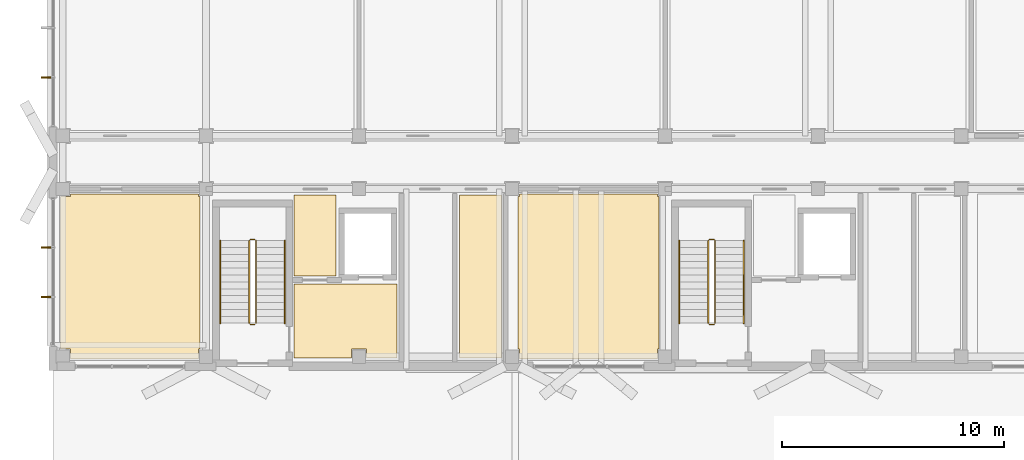
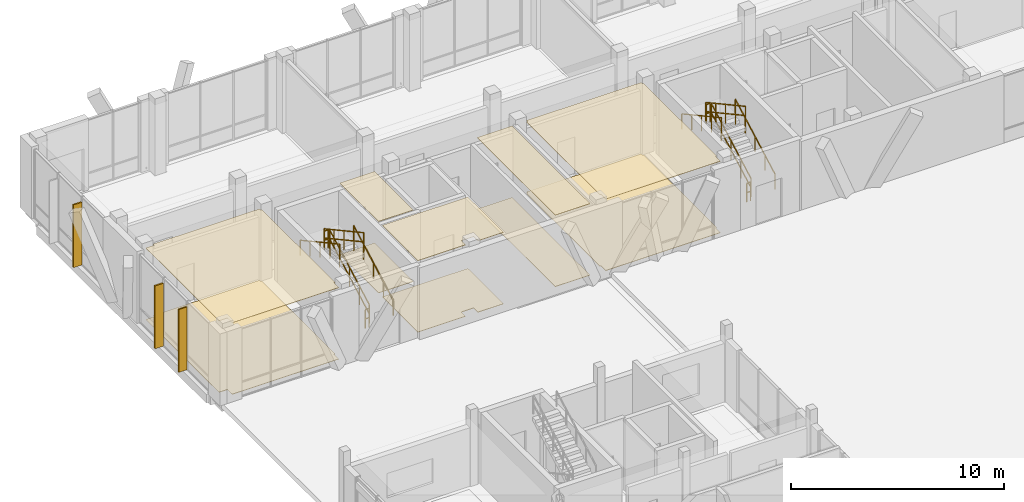
# One storey, part 220 of 233: 12 railings, 10 coverings, 3 shading devices.
"""IFC4 building model written with IfcOpenShell, lengths in metres."""

import ifcopenshell
import ifcopenshell.guid

model = None  # the IFC model being written
_history = None  # IfcOwnerHistory: only IFC2X3 demands one
_inside = {}  # id of a spatial element -> (the spatial element, [elements in it])
_under = {}  # id of a project, library or spatial element -> (it, [spatial elements below it])
_declared = {}  # id of a project -> (the project, [libraries it declares])
_typed = {}  # id of a type object -> (the type object, [elements of that type])
_made_of = {}  # id of a material, layer set ... -> (it, [elements and type objects made of it])


def new_model(schema):
    """Start an empty IFC model of exactly this schema.

    Asked for "IFC4X3", IfcOpenShell would pick the latest addendum, in which some entities
    have other attributes; the version numbers below select the first issue.
    IFC2X3 requires an IfcOwnerHistory on every rooted entity: one is made here for all.
    """
    global model, _history
    if schema == "IFC4X3":
        model = ifcopenshell.file(schema_version=(4, 3, 0, 0))
    else:
        model = ifcopenshell.file(schema=schema)
    _inside.clear()
    _under.clear()
    _declared.clear()
    _typed.clear()
    _made_of.clear()
    _history = None
    if model.schema == "IFC2X3":
        org = make("IfcOrganization", Name="unknown")
        user = make(
            "IfcPersonAndOrganization",
            ThePerson=make("IfcPerson", FamilyName="unknown"),
            TheOrganization=org,
        )
        app = make(
            "IfcApplication",
            ApplicationDeveloper=org,
            Version="unknown",
            ApplicationFullName="unknown",
            ApplicationIdentifier="unknown",
        )
        _history = make(
            "IfcOwnerHistory",
            OwningUser=user,
            OwningApplication=app,
            ChangeAction="ADDED",
            CreationDate=0,
        )
    return model


def make(cls, **values):
    """One entity of the class cls with the attributes given. An attribute that is None is left unset."""
    return model.create_entity(
        cls, **{name: value for name, value in values.items() if value is not None}
    )


def rooted(cls, **values):
    """An entity with a GlobalId (a new one), such as an element, a storey or a relation."""
    return make(cls, GlobalId=ifcopenshell.guid.new(), OwnerHistory=_history, **values)


def si_unit(unit_type, name, prefix=None):
    """IfcSIUnit, for example si_unit("LENGTHUNIT", "METRE", prefix="MILLI")."""
    return make("IfcSIUnit", UnitType=unit_type, Prefix=prefix, Name=name)


def assignment(units):
    """IfcUnitAssignment: the units of a project."""
    return None if units is None else make("IfcUnitAssignment", Units=units)


def point(xyz):
    """IfcCartesianPoint."""
    return None if xyz is None else make("IfcCartesianPoint", Coordinates=xyz)


def direction(xyz):
    """IfcDirection."""
    return None if xyz is None else make("IfcDirection", DirectionRatios=xyz)


def frame(location, z_axis=None, x_axis=None):
    """IfcAxis2Placement3D, a coordinate frame: its origin and axes. An axis left out is left unset."""
    return make(
        "IfcAxis2Placement3D",
        Location=point(location),
        Axis=direction(z_axis),
        RefDirection=direction(x_axis),
    )


def frame_2d(location, x_axis=None):
    """IfcAxis2Placement2D, a coordinate frame in the plane: its origin and x axis."""
    return make(
        "IfcAxis2Placement2D", Location=point(location), RefDirection=direction(x_axis)
    )


def origin():
    """The frame at (0, 0, 0) with its axes left unset."""
    return frame((0.0, 0.0, 0.0))


def origin_2d():
    """The frame at (0, 0) in the plane with its x axis left unset."""
    return frame_2d((0.0, 0.0))


def place(relative_to, where):
    """IfcLocalPlacement: puts the frame where relative to a parent placement (None: the world)."""
    return make(
        "IfcLocalPlacement", PlacementRelTo=relative_to, RelativePlacement=where
    )


def context(
    kind, dimensions, precision=None, world=None, true_north=None, identifier=None
):
    """IfcGeometricRepresentationContext, for example the 3D "Model" context."""
    return make(
        "IfcGeometricRepresentationContext",
        ContextIdentifier=identifier,
        ContextType=kind,
        CoordinateSpaceDimension=dimensions,
        Precision=precision,
        WorldCoordinateSystem=world,
        TrueNorth=true_north,
    )


def subcontext(parent, identifier, kind, view, scale=None):
    """IfcGeometricRepresentationSubContext, for example "Body" below "Model"."""
    return make(
        "IfcGeometricRepresentationSubContext",
        ContextIdentifier=identifier,
        ContextType=kind,
        ParentContext=parent,
        TargetScale=scale,
        TargetView=view,
    )


def project(units=None, contexts=None):
    """IfcProject with its units and contexts."""
    return rooted(
        "IfcProject",
        Name="project",
        RepresentationContexts=contexts,
        UnitsInContext=assignment(units),
    )


def spatial(cls, under=None, at=None, **own):
    """A site, building, storey or space (cls), placed at a placement, below another one or the project."""
    s = rooted(cls, ObjectPlacement=at, **own)
    if under is not None:
        _under.setdefault(under.id(), (under, []))[1].append(s)
    return s


def polyline(points):
    """IfcPolyline through the points."""
    return make("IfcPolyline", Points=[point(p) for p in points])


def profile(cls, at=None, kind="AREA", **sizes):
    """A parametric profile (cls). Its sizes go by their IFC names, for example OverallWidth=200.0."""
    return make(cls, ProfileType=kind, Position=at, **sizes)


def rectangle(**sizes):
    """IfcRectangleProfileDef."""
    return profile("IfcRectangleProfileDef", **sizes)


def outline(outer, holes=None, kind="AREA"):
    """IfcArbitraryClosedProfileDef: a profile drawn as a closed curve; with holes, ...WithVoids."""
    if holes is None:
        return make("IfcArbitraryClosedProfileDef", ProfileType=kind, OuterCurve=outer)
    return make(
        "IfcArbitraryProfileDefWithVoids",
        ProfileType=kind,
        OuterCurve=outer,
        InnerCurves=holes,
    )


def extrude(swept, where, along, depth):
    """IfcExtrudedAreaSolid: the profile swept, set in the frame where, extruded along a direction by depth."""
    return make(
        "IfcExtrudedAreaSolid",
        SweptArea=swept,
        Position=where,
        ExtrudedDirection=direction(along),
        Depth=depth,
    )


def shape(context_of_items, identifier, shape_type, items):
    """IfcShapeRepresentation: the items that make up one representation, for example the "Body"."""
    return make(
        "IfcShapeRepresentation",
        ContextOfItems=context_of_items,
        RepresentationIdentifier=identifier,
        RepresentationType=shape_type,
        Items=items,
    )


def material(Name=None, Category=None):
    """IfcMaterial."""
    return make("IfcMaterial", Name=Name, Category=Category)


def layer(
    of_material, thickness, ventilated=None, Name=None, Category=None, Priority=None
):
    """IfcMaterialLayer: one layer of a wall or slab, of a material (None: an air gap)."""
    return make(
        "IfcMaterialLayer",
        Material=of_material,
        LayerThickness=thickness,
        IsVentilated=ventilated,
        Name=Name,
        Category=Category,
        Priority=Priority,
    )


def layer_set(layers, Name=None):
    """IfcMaterialLayerSet."""
    return make("IfcMaterialLayerSet", MaterialLayers=layers, LayerSetName=Name)


def made_of(thing, what):
    """Note that an element or type object is made of a material, layer set ...; save() writes the relation."""
    if what is not None:
        _made_of.setdefault(what.id(), (what, []))[1].append(thing)
    return thing


def type_object(cls, material=None, **own):
    """A type object (cls), such as IfcWallType, which elements share."""
    return made_of(rooted(cls, **own), material)


def element(
    cls,
    number,
    at=None,
    inside=None,
    cuts=None,
    type_object=None,
    material=None,
    context=None,
    identifier="Body",
    shape_type=None,
    held_by="IfcProductDefinitionShape",
    body=None,
    shapes=None,
    **own,
):
    """One element of the class cls, such as IfcWall. Its Tag is "e" and its number.

    at: its placement. inside: the storey or other place that contains it. cuts: it is an
    opening in that element (IfcRelVoidsElement). A single representation is given by context,
    identifier, shape_type and body (its items); several are given by shapes. held_by: the class
    of the entity that holds the representations. save() writes the other relations.
    """
    e = rooted(cls, Tag="e%d" % number, ObjectPlacement=at, **own)
    if body is not None:
        shapes = [shape(context, identifier, shape_type, body)]
    if shapes is not None:
        e.Representation = make(held_by, Representations=shapes)
    if inside is not None:
        _inside.setdefault(inside.id(), (inside, []))[1].append(e)
    if cuts is not None:
        rooted(
            "IfcRelVoidsElement", RelatingBuildingElement=cuts, RelatedOpeningElement=e
        )
    if type_object is not None:
        _typed.setdefault(type_object.id(), (type_object, []))[1].append(e)
    return made_of(e, material)


def aggregate(whole, parts):
    """IfcRelAggregates: a whole, such as a stair, and the parts it consists of."""
    return rooted("IfcRelAggregates", RelatingObject=whole, RelatedObjects=parts)


def save(model, path):
    """Write the relations noted so far, then the file.

    IfcRelAggregates (storeys below a building ...), IfcRelContainedInSpatialStructure (elements
    in a storey), IfcRelDefinesByType, IfcRelAssociatesMaterial and IfcRelDeclares: one each for
    every whole, place, type object, material and project.
    """
    for whole, parts in _under.values():
        aggregate(whole, parts)
    for where, things in _inside.values():
        rooted(
            "IfcRelContainedInSpatialStructure",
            RelatedElements=things,
            RelatingStructure=where,
        )
    for kind, things in _typed.values():
        rooted("IfcRelDefinesByType", RelatedObjects=things, RelatingType=kind)
    for what, things in _made_of.values():
        rooted("IfcRelAssociatesMaterial", RelatedObjects=things, RelatingMaterial=what)
    for by, libraries in _declared.values():
        rooted("IfcRelDeclares", RelatingContext=by, RelatedDefinitions=libraries)
    model.write(path)


model = new_model("IFC4")

# Units and contexts
model_context = context("Model", 3, precision=1e-05, world=origin(), true_north=direction((0.0, 1.0)))
body_context = subcontext(model_context, "Body", "Model", "MODEL_VIEW")
ifc_project = project(units=[si_unit("LENGTHUNIT", "METRE"), si_unit("AREAUNIT", "SQUARE_METRE"), si_unit("VOLUMEUNIT", "CUBIC_METRE"), si_unit("PLANEANGLEUNIT", "RADIAN"), si_unit("MASSUNIT", "GRAM", prefix="KILO")], contexts=[model_context])

# Site, building, storey
site_placement = place(None, origin())
site = spatial("IfcSite", under=ifc_project, at=site_placement, CompositionType="ELEMENT")
building_placement = place(site_placement, origin())
building = spatial("IfcBuilding", under=site, at=building_placement, Name="Zavelmont Quarter", CompositionType="ELEMENT")
storey_placement = place(building_placement, origin())
storey = spatial("IfcBuildingStorey", under=building, at=storey_placement, Name="L00", CompositionType="ELEMENT", Elevation=0.0)

# Coverings
ifc_material_1 = material(Name="Perforated acoustic gypsum board")
ifc_layer_1 = layer(ifc_material_1, 0.02490234375)
ifc_layer_set_1 = layer_set([ifc_layer_1], Name="Perforated acoustic gypsum board")
covering_type_1 = type_object("IfcCoveringType", Name="CV-CL01", PredefinedType="CEILING", material=ifc_layer_set_1)
covering_1_placement = place(storey_placement, frame((0.0, 0.0, 4.094970703125)))
element("IfcCovering", 1, at=covering_1_placement, inside=storey, type_object=covering_type_1, Name="L00 Firefighting Lobby acoustic ceiling", PredefinedType="CEILING", context=body_context, shape_type="SweptSolid", body=[
    extrude(outline(polyline([(10.8798828125, 101.320068359375), (15.52001953125, 101.320068359375), (15.52001953125, 97.97998046875), (14.139892578125, 97.97998046875), (14.139892578125, 98.3798828125), (13.4599609375, 98.3798828125), (13.4599609375, 97.97998046875), (10.8798828125, 97.97998046875), (10.8798828125, 101.320068359375)])), origin(), (0.0, 0.0, 1.0), 0.025146484375),
])
covering_2_placement = place(storey_placement, frame((0.0, 0.0, 4.094970703125)))
element("IfcCovering", 2, at=covering_2_placement, inside=storey, type_object=covering_type_1, Name="L00 Lobby Vestibule acoustic ceiling", PredefinedType="CEILING", context=body_context, shape_type="SweptSolid", body=[
    extrude(outline(polyline([(10.8798828125, 105.320068359375), (12.77001953125, 105.320068359375), (12.77001953125, 101.679931640625), (10.8798828125, 101.679931640625), (10.8798828125, 105.320068359375)])), origin(), (0.0, 0.0, 1.0), 0.025146484375),
])
covering_3_placement = place(storey_placement, frame((0.0, 0.0, 4.094970703125)))
element("IfcCovering", 3, at=covering_3_placement, inside=storey, type_object=covering_type_1, Name="L00 Refuse Chute Room acoustic ceiling", PredefinedType="CEILING", context=body_context, shape_type="SweptSolid", body=[
    extrude(outline(polyline([(18.330078125, 105.320068359375), (20.219970703125, 105.320068359375), (20.219970703125, 97.97998046875), (18.330078125, 97.97998046875), (18.330078125, 105.320068359375)])), origin(), (0.0, 0.0, 1.0), 0.025146484375),
])
covering_4_placement = place(storey_placement, frame((0.0, 0.0, 4.094970703125)))
element("IfcCovering", 4, at=covering_4_placement, inside=storey, type_object=covering_type_1, Name="L00 Meter and Telecom Room acoustic ceiling", PredefinedType="CEILING", context=body_context, shape_type="SweptSolid", body=[
    extrude(outline(polyline([(0.330078125, 105.260009765625), (0.780029296875, 105.260009765625), (0.780029296875, 105.3701171875), (6.56005859375, 105.3701171875), (6.56005859375, 105.260009765625), (6.6201171875, 105.260009765625), (6.6201171875, 98.3798828125), (6.56005859375, 98.3798828125), (6.56005859375, 97.929931640625), (0.780029296875, 97.929931640625), (0.780029296875, 98.3798828125), (0.330078125, 98.3798828125), (0.330078125, 105.260009765625)])), origin(), (0.0, 0.0, 1.0), 0.025146484375),
])
covering_5_placement = place(storey_placement, frame((0.0, 0.0, 4.094970703125)))
element("IfcCovering", 5, at=covering_5_placement, inside=storey, type_object=covering_type_1, Name="L00 Residents Workshop acoustic ceiling", PredefinedType="CEILING", context=body_context, shape_type="SweptSolid", body=[
    extrude(outline(polyline([(20.97998046875, 105.260009765625), (21.0400390625, 105.260009765625), (21.0400390625, 105.3701171875), (27.260009765625, 105.3701171875), (27.260009765625, 105.260009765625), (27.320068359375, 105.260009765625), (27.320068359375, 98.3798828125), (27.260009765625, 98.3798828125), (27.260009765625, 97.929931640625), (21.0400390625, 97.929931640625), (21.0400390625, 98.3798828125), (20.97998046875, 98.3798828125), (20.97998046875, 105.260009765625)])), origin(), (0.0, 0.0, 1.0), 0.025146484375),
])
ifc_material_2 = material(Name="Engineered European oak parquet")
ifc_layer_2 = layer(ifc_material_2, 0.02197265625)
ifc_layer_set_2 = layer_set([ifc_layer_2], Name="Engineered European oak parquet")
covering_type_2 = type_object("IfcCoveringType", Name="CV-FL01", PredefinedType="FLOORING", material=ifc_layer_set_2)
covering_6_placement = place(storey_placement, origin())
element("IfcCovering", 6, at=covering_6_placement, inside=storey, type_object=covering_type_2, Name="L00 Firefighting Lobby floor finish", PredefinedType="FLOORING", context=body_context, shape_type="SweptSolid", body=[
    extrude(outline(polyline([(10.8798828125, 101.320068359375), (15.52001953125, 101.320068359375), (15.52001953125, 97.97998046875), (14.139892578125, 97.97998046875), (14.139892578125, 98.3798828125), (13.4599609375, 98.3798828125), (13.4599609375, 97.97998046875), (10.8798828125, 97.97998046875), (10.8798828125, 101.320068359375)])), origin(), (0.0, 0.0, 1.0), 0.02197265625),
])
covering_7_placement = place(storey_placement, origin())
element("IfcCovering", 7, at=covering_7_placement, inside=storey, type_object=covering_type_2, Name="L00 Lobby Vestibule floor finish", PredefinedType="FLOORING", context=body_context, shape_type="SweptSolid", body=[
    extrude(outline(polyline([(10.8798828125, 105.320068359375), (12.77001953125, 105.320068359375), (12.77001953125, 101.679931640625), (10.8798828125, 101.679931640625), (10.8798828125, 105.320068359375)])), origin(), (0.0, 0.0, 1.0), 0.02197265625),
])
covering_8_placement = place(storey_placement, origin())
element("IfcCovering", 8, at=covering_8_placement, inside=storey, type_object=covering_type_2, Name="L00 Refuse Chute Room floor finish", PredefinedType="FLOORING", context=body_context, shape_type="SweptSolid", body=[
    extrude(outline(polyline([(18.330078125, 105.320068359375), (20.219970703125, 105.320068359375), (20.219970703125, 97.97998046875), (18.330078125, 97.97998046875), (18.330078125, 105.320068359375)])), origin(), (0.0, 0.0, 1.0), 0.02197265625),
])
covering_9_placement = place(storey_placement, origin())
element("IfcCovering", 9, at=covering_9_placement, inside=storey, type_object=covering_type_2, Name="L00 Meter and Telecom Room floor finish", PredefinedType="FLOORING", context=body_context, shape_type="SweptSolid", body=[
    extrude(outline(polyline([(0.330078125, 105.260009765625), (0.780029296875, 105.260009765625), (0.780029296875, 105.3701171875), (6.56005859375, 105.3701171875), (6.56005859375, 105.260009765625), (6.6201171875, 105.260009765625), (6.6201171875, 98.3798828125), (6.56005859375, 98.3798828125), (6.56005859375, 97.929931640625), (0.780029296875, 97.929931640625), (0.780029296875, 98.3798828125), (0.330078125, 98.3798828125), (0.330078125, 105.260009765625)])), origin(), (0.0, 0.0, 1.0), 0.02197265625),
])
covering_10_placement = place(storey_placement, origin())
element("IfcCovering", 10, at=covering_10_placement, inside=storey, type_object=covering_type_2, Name="L00 Residents Workshop floor finish", PredefinedType="FLOORING", context=body_context, shape_type="SweptSolid", body=[
    extrude(outline(polyline([(20.97998046875, 105.260009765625), (21.0400390625, 105.260009765625), (21.0400390625, 105.3701171875), (27.260009765625, 105.3701171875), (27.260009765625, 105.260009765625), (27.320068359375, 105.260009765625), (27.320068359375, 98.3798828125), (27.260009765625, 98.3798828125), (27.260009765625, 97.929931640625), (21.0400390625, 97.929931640625), (21.0400390625, 98.3798828125), (20.97998046875, 98.3798828125), (20.97998046875, 105.260009765625)])), origin(), (0.0, 0.0, 1.0), 0.02197265625),
])

# Railings
ifc_material_3 = material(Name="Powder-coated steel stair guardrail", Category="steel")
railing_type_1 = type_object("IfcRailingType", Name="RL-GRD1", PredefinedType="GUARDRAIL", material=ifc_material_3)
railing_1_placement = place(storey_placement, frame((9.14990234375, 99.550048828125, 0.169189453125)))
element("IfcRailing", 11, at=railing_1_placement, inside=storey, type_object=railing_type_1, Name="L00 ST03 stair guardrail 1", PredefinedType="GUARDRAIL", context=body_context, shape_type="SweptSolid", body=[
    extrude(rectangle(XDim=0.048095703125, YDim=0.048095703125, at=origin_2d()), frame((0.0, 0.0, 1.076171875), z_axis=(0.0, 0.877728207833, 0.479158839191), x_axis=(-1.0, 0.0, 0.0)), (0.0, 0.0, 1.0), 4.23828125),
    extrude(rectangle(XDim=0.048095703125, YDim=0.048095703125, at=origin_2d()), frame((0.0, 0.0, 0.550048828125), z_axis=(0.0, 0.877728207833, 0.479158839191), x_axis=(-1.0, 0.0, 0.0)), (0.0, 0.0, 1.0), 4.23828125),
    extrude(rectangle(XDim=0.0419921875, YDim=0.0419921875, at=origin_2d()), origin(), (0.0, 0.0, 1.0), 1.052001953125),
    extrude(rectangle(XDim=0.0419921875, YDim=0.0419921875, at=origin_2d()), frame((0.0, 0.929931640625, 0.5078125)), (0.0, 0.0, 1.0), 1.052001953125),
    extrude(rectangle(XDim=0.0419921875, YDim=0.0419921875, at=origin_2d()), frame((0.0, 1.85986328125, 1.015380859375)), (0.0, 0.0, 1.0), 1.052001953125),
    extrude(rectangle(XDim=0.0419921875, YDim=0.0419921875, at=origin_2d()), frame((0.0, 2.7900390625, 1.52294921875)), (0.0, 0.0, 1.0), 1.052001953125),
    extrude(rectangle(XDim=0.0419921875, YDim=0.0419921875, at=origin_2d()), frame((0.0, 3.719970703125, 2.03076171875)), (0.0, 0.0, 1.0), 1.052001953125),
])
railing_2_placement = place(storey_placement, frame((9.10009765625, 103.320068359375, 2.199951171875)))
element("IfcRailing", 12, at=railing_2_placement, inside=storey, type_object=railing_type_1, Name="L00 ST03 stair guardrail 2", PredefinedType="GUARDRAIL", context=body_context, shape_type="SweptSolid", body=[
    extrude(rectangle(XDim=0.048095703125, YDim=0.048095703125, at=origin_2d()), frame((0.0, 0.0, 1.076171875), z_axis=(-1.0, 0.0, 0.0), x_axis=(0.0, -1.0, 0.0)), (0.0, 0.0, 1.0), 0.2001953125),
    extrude(rectangle(XDim=0.048095703125, YDim=0.048095703125, at=origin_2d()), frame((0.0, 0.0, 0.550048828125), z_axis=(-1.0, 0.0, 0.0), x_axis=(0.0, -1.0, 0.0)), (0.0, 0.0, 1.0), 0.2001953125),
    extrude(rectangle(XDim=0.0419921875, YDim=0.0419921875, at=origin_2d()), origin(), (0.0, 0.0, 1.0), 1.052001953125),
    extrude(rectangle(XDim=0.0419921875, YDim=0.0419921875, at=origin_2d()), frame((-0.2001953125, 0.0, 0.0)), (0.0, 0.0, 1.0), 1.052001953125),
])
railing_3_placement = place(storey_placement, frame((8.85009765625, 103.27001953125, 2.369140625)))
element("IfcRailing", 13, at=railing_3_placement, inside=storey, type_object=railing_type_1, Name="L00 ST03 stair guardrail 3", PredefinedType="GUARDRAIL", context=body_context, shape_type="SweptSolid", body=[
    extrude(rectangle(XDim=0.048095703125, YDim=0.048095703125, at=origin_2d()), frame((0.0, 0.0, 1.076171875), z_axis=(0.0, -0.877728207833, 0.479158839191), x_axis=(1.0, 0.0, 0.0)), (0.0, 0.0, 1.0), 4.23828125),
    extrude(rectangle(XDim=0.048095703125, YDim=0.048095703125, at=origin_2d()), frame((0.0, 0.0, 0.550048828125), z_axis=(0.0, -0.877728207833, 0.479158839191), x_axis=(1.0, 0.0, 0.0)), (0.0, 0.0, 1.0), 4.23828125),
    extrude(rectangle(XDim=0.0419921875, YDim=0.0419921875, at=origin_2d()), origin(), (0.0, 0.0, 1.0), 1.052001953125),
    extrude(rectangle(XDim=0.0419921875, YDim=0.0419921875, at=origin_2d()), frame((0.0, -0.929931640625, 0.5078125)), (0.0, 0.0, 1.0), 1.052001953125),
    extrude(rectangle(XDim=0.0419921875, YDim=0.0419921875, at=origin_2d()), frame((0.0, -1.85986328125, 1.015380859375)), (0.0, 0.0, 1.0), 1.052001953125),
    extrude(rectangle(XDim=0.0419921875, YDim=0.0419921875, at=origin_2d()), frame((0.0, -2.7900390625, 1.52294921875)), (0.0, 0.0, 1.0), 1.052001953125),
    extrude(rectangle(XDim=0.0419921875, YDim=0.0419921875, at=origin_2d()), frame((0.0, -3.719970703125, 2.03076171875)), (0.0, 0.0, 1.0), 1.052001953125),
])
railing_4_placement = place(storey_placement, frame((9.10009765625, 99.5, 0.0)))
element("IfcRailing", 14, at=railing_4_placement, inside=storey, type_object=railing_type_1, Name="L00 ST03 stair guardrail 4", PredefinedType="GUARDRAIL", context=body_context, shape_type="SweptSolid", body=[
    extrude(rectangle(XDim=0.048095703125, YDim=0.048095703125, at=origin_2d()), frame((0.0, 0.0, 1.076171875), z_axis=(-1.0, 0.0, 0.0), x_axis=(0.0, -1.0, 0.0)), (0.0, 0.0, 1.0), 0.2001953125),
    extrude(rectangle(XDim=0.048095703125, YDim=0.048095703125, at=origin_2d()), frame((0.0, 0.0, 0.550048828125), z_axis=(-1.0, 0.0, 0.0), x_axis=(0.0, -1.0, 0.0)), (0.0, 0.0, 1.0), 0.2001953125),
    extrude(rectangle(XDim=0.0419921875, YDim=0.0419921875, at=origin_2d()), origin(), (0.0, 0.0, 1.0), 1.052001953125),
    extrude(rectangle(XDim=0.0419921875, YDim=0.0419921875, at=origin_2d()), frame((-0.2001953125, 0.0, 0.0)), (0.0, 0.0, 1.0), 1.052001953125),
])
railing_5_placement = place(storey_placement, frame((29.85009765625, 99.550048828125, 0.169189453125)))
element("IfcRailing", 15, at=railing_5_placement, inside=storey, type_object=railing_type_1, Name="L00 ST04 stair guardrail 1", PredefinedType="GUARDRAIL", context=body_context, shape_type="SweptSolid", body=[
    extrude(rectangle(XDim=0.048095703125, YDim=0.048095703125, at=origin_2d()), frame((0.0, 0.0, 1.076171875), z_axis=(0.0, 0.877728207833, 0.479158839191), x_axis=(-1.0, 0.0, 0.0)), (0.0, 0.0, 1.0), 4.23828125),
    extrude(rectangle(XDim=0.048095703125, YDim=0.048095703125, at=origin_2d()), frame((0.0, 0.0, 0.550048828125), z_axis=(0.0, 0.877728207833, 0.479158839191), x_axis=(-1.0, 0.0, 0.0)), (0.0, 0.0, 1.0), 4.23828125),
    extrude(rectangle(XDim=0.0419921875, YDim=0.0419921875, at=origin_2d()), origin(), (0.0, 0.0, 1.0), 1.052001953125),
    extrude(rectangle(XDim=0.0419921875, YDim=0.0419921875, at=origin_2d()), frame((0.0, 0.929931640625, 0.5078125)), (0.0, 0.0, 1.0), 1.052001953125),
    extrude(rectangle(XDim=0.0419921875, YDim=0.0419921875, at=origin_2d()), frame((0.0, 1.85986328125, 1.015380859375)), (0.0, 0.0, 1.0), 1.052001953125),
    extrude(rectangle(XDim=0.0419921875, YDim=0.0419921875, at=origin_2d()), frame((0.0, 2.7900390625, 1.52294921875)), (0.0, 0.0, 1.0), 1.052001953125),
    extrude(rectangle(XDim=0.0419921875, YDim=0.0419921875, at=origin_2d()), frame((0.0, 3.719970703125, 2.03076171875)), (0.0, 0.0, 1.0), 1.052001953125),
])
railing_6_placement = place(storey_placement, frame((29.800048828125, 103.320068359375, 2.199951171875)))
element("IfcRailing", 16, at=railing_6_placement, inside=storey, type_object=railing_type_1, Name="L00 ST04 stair guardrail 2", PredefinedType="GUARDRAIL", context=body_context, shape_type="SweptSolid", body=[
    extrude(rectangle(XDim=0.048095703125, YDim=0.048095703125, at=origin_2d()), frame((0.0, 0.0, 1.076171875), z_axis=(-1.0, 0.0, 0.0), x_axis=(0.0, -1.0, 0.0)), (0.0, 0.0, 1.0), 0.199951171875),
    extrude(rectangle(XDim=0.048095703125, YDim=0.048095703125, at=origin_2d()), frame((0.0, 0.0, 0.550048828125), z_axis=(-1.0, 0.0, 0.0), x_axis=(0.0, -1.0, 0.0)), (0.0, 0.0, 1.0), 0.199951171875),
    extrude(rectangle(XDim=0.0419921875, YDim=0.0419921875, at=origin_2d()), origin(), (0.0, 0.0, 1.0), 1.052001953125),
    extrude(rectangle(XDim=0.0419921875, YDim=0.0419921875, at=origin_2d()), frame((-0.199951171875, 0.0, 0.0)), (0.0, 0.0, 1.0), 1.052001953125),
])
railing_7_placement = place(storey_placement, frame((29.550048828125, 103.27001953125, 2.369140625)))
element("IfcRailing", 17, at=railing_7_placement, inside=storey, type_object=railing_type_1, Name="L00 ST04 stair guardrail 3", PredefinedType="GUARDRAIL", context=body_context, shape_type="SweptSolid", body=[
    extrude(rectangle(XDim=0.048095703125, YDim=0.048095703125, at=origin_2d()), frame((0.0, 0.0, 1.076171875), z_axis=(0.0, -0.877728207833, 0.479158839191), x_axis=(1.0, 0.0, 0.0)), (0.0, 0.0, 1.0), 4.23828125),
    extrude(rectangle(XDim=0.048095703125, YDim=0.048095703125, at=origin_2d()), frame((0.0, 0.0, 0.550048828125), z_axis=(0.0, -0.877728207833, 0.479158839191), x_axis=(1.0, 0.0, 0.0)), (0.0, 0.0, 1.0), 4.23828125),
    extrude(rectangle(XDim=0.0419921875, YDim=0.0419921875, at=origin_2d()), origin(), (0.0, 0.0, 1.0), 1.052001953125),
    extrude(rectangle(XDim=0.0419921875, YDim=0.0419921875, at=origin_2d()), frame((0.0, -0.929931640625, 0.5078125)), (0.0, 0.0, 1.0), 1.052001953125),
    extrude(rectangle(XDim=0.0419921875, YDim=0.0419921875, at=origin_2d()), frame((0.0, -1.85986328125, 1.015380859375)), (0.0, 0.0, 1.0), 1.052001953125),
    extrude(rectangle(XDim=0.0419921875, YDim=0.0419921875, at=origin_2d()), frame((0.0, -2.7900390625, 1.52294921875)), (0.0, 0.0, 1.0), 1.052001953125),
    extrude(rectangle(XDim=0.0419921875, YDim=0.0419921875, at=origin_2d()), frame((0.0, -3.719970703125, 2.03076171875)), (0.0, 0.0, 1.0), 1.052001953125),
])
railing_8_placement = place(storey_placement, frame((29.800048828125, 99.5, 0.0)))
element("IfcRailing", 18, at=railing_8_placement, inside=storey, type_object=railing_type_1, Name="L00 ST04 stair guardrail 4", PredefinedType="GUARDRAIL", context=body_context, shape_type="SweptSolid", body=[
    extrude(rectangle(XDim=0.048095703125, YDim=0.048095703125, at=origin_2d()), frame((0.0, 0.0, 1.076171875), z_axis=(-1.0, 0.0, 0.0), x_axis=(0.0, -1.0, 0.0)), (0.0, 0.0, 1.0), 0.199951171875),
    extrude(rectangle(XDim=0.048095703125, YDim=0.048095703125, at=origin_2d()), frame((0.0, 0.0, 0.550048828125), z_axis=(-1.0, 0.0, 0.0), x_axis=(0.0, -1.0, 0.0)), (0.0, 0.0, 1.0), 0.199951171875),
    extrude(rectangle(XDim=0.0419921875, YDim=0.0419921875, at=origin_2d()), origin(), (0.0, 0.0, 1.0), 1.052001953125),
    extrude(rectangle(XDim=0.0419921875, YDim=0.0419921875, at=origin_2d()), frame((-0.199951171875, 0.0, 0.0)), (0.0, 0.0, 1.0), 1.052001953125),
])
ifc_material_4 = material(Name="Brushed stainless-steel wall handrail", Category="steel")
railing_type_2 = type_object("IfcRailingType", Name="RL-HND1", PredefinedType="HANDRAIL", material=ifc_material_4)
railing_9_placement = place(storey_placement, frame((10.449951171875, 99.550048828125, 0.169189453125)))
element("IfcRailing", 19, at=railing_9_placement, inside=storey, type_object=railing_type_2, Name="L00 ST03 stair handrail 1", PredefinedType="HANDRAIL", context=body_context, shape_type="SweptSolid", body=[
    extrude(rectangle(XDim=0.048095703125, YDim=0.048095703125, at=origin_2d()), frame((0.0, 0.0, 0.8759765625), z_axis=(0.0, 0.877728207833, 0.479158839191), x_axis=(-1.0, 0.0, 0.0)), (0.0, 0.0, 1.0), 4.23828125),
    extrude(rectangle(XDim=0.0419921875, YDim=0.0419921875, at=origin_2d()), origin(), (0.0, 0.0, 1.0), 0.851806640625),
    extrude(rectangle(XDim=0.0419921875, YDim=0.0419921875, at=origin_2d()), frame((0.0, 0.929931640625, 0.5078125)), (0.0, 0.0, 1.0), 0.851806640625),
    extrude(rectangle(XDim=0.0419921875, YDim=0.0419921875, at=origin_2d()), frame((0.0, 1.85986328125, 1.015380859375)), (0.0, 0.0, 1.0), 0.851806640625),
    extrude(rectangle(XDim=0.0419921875, YDim=0.0419921875, at=origin_2d()), frame((0.0, 2.7900390625, 1.52294921875)), (0.0, 0.0, 1.0), 0.851806640625),
    extrude(rectangle(XDim=0.0419921875, YDim=0.0419921875, at=origin_2d()), frame((0.0, 3.719970703125, 2.03076171875)), (0.0, 0.0, 1.0), 0.851806640625),
])
railing_10_placement = place(storey_placement, frame((7.550048828125, 103.27001953125, 2.369140625)))
element("IfcRailing", 20, at=railing_10_placement, inside=storey, type_object=railing_type_2, Name="L00 ST03 stair handrail 2", PredefinedType="HANDRAIL", context=body_context, shape_type="SweptSolid", body=[
    extrude(rectangle(XDim=0.048095703125, YDim=0.048095703125, at=origin_2d()), frame((0.0, 0.0, 0.8759765625), z_axis=(0.0, -0.877728207833, 0.479158839191), x_axis=(1.0, 0.0, 0.0)), (0.0, 0.0, 1.0), 4.23828125),
    extrude(rectangle(XDim=0.0419921875, YDim=0.0419921875, at=origin_2d()), origin(), (0.0, 0.0, 1.0), 0.851806640625),
    extrude(rectangle(XDim=0.0419921875, YDim=0.0419921875, at=origin_2d()), frame((0.0, -0.929931640625, 0.5078125)), (0.0, 0.0, 1.0), 0.851806640625),
    extrude(rectangle(XDim=0.0419921875, YDim=0.0419921875, at=origin_2d()), frame((0.0, -1.85986328125, 1.015380859375)), (0.0, 0.0, 1.0), 0.851806640625),
    extrude(rectangle(XDim=0.0419921875, YDim=0.0419921875, at=origin_2d()), frame((0.0, -2.7900390625, 1.52294921875)), (0.0, 0.0, 1.0), 0.851806640625),
    extrude(rectangle(XDim=0.0419921875, YDim=0.0419921875, at=origin_2d()), frame((0.0, -3.719970703125, 2.03076171875)), (0.0, 0.0, 1.0), 0.851806640625),
])
railing_11_placement = place(storey_placement, frame((31.14990234375, 99.550048828125, 0.169189453125)))
element("IfcRailing", 21, at=railing_11_placement, inside=storey, type_object=railing_type_2, Name="L00 ST04 stair handrail 1", PredefinedType="HANDRAIL", context=body_context, shape_type="SweptSolid", body=[
    extrude(rectangle(XDim=0.048095703125, YDim=0.048095703125, at=origin_2d()), frame((0.0, 0.0, 0.8759765625), z_axis=(0.0, 0.877728207833, 0.479158839191), x_axis=(-1.0, 0.0, 0.0)), (0.0, 0.0, 1.0), 4.23828125),
    extrude(rectangle(XDim=0.0419921875, YDim=0.0419921875, at=origin_2d()), origin(), (0.0, 0.0, 1.0), 0.851806640625),
    extrude(rectangle(XDim=0.0419921875, YDim=0.0419921875, at=origin_2d()), frame((0.0, 0.929931640625, 0.5078125)), (0.0, 0.0, 1.0), 0.851806640625),
    extrude(rectangle(XDim=0.0419921875, YDim=0.0419921875, at=origin_2d()), frame((0.0, 1.85986328125, 1.015380859375)), (0.0, 0.0, 1.0), 0.851806640625),
    extrude(rectangle(XDim=0.0419921875, YDim=0.0419921875, at=origin_2d()), frame((0.0, 2.7900390625, 1.52294921875)), (0.0, 0.0, 1.0), 0.851806640625),
    extrude(rectangle(XDim=0.0419921875, YDim=0.0419921875, at=origin_2d()), frame((0.0, 3.719970703125, 2.03076171875)), (0.0, 0.0, 1.0), 0.851806640625),
])
railing_12_placement = place(storey_placement, frame((28.25, 103.27001953125, 2.369140625)))
element("IfcRailing", 22, at=railing_12_placement, inside=storey, type_object=railing_type_2, Name="L00 ST04 stair handrail 2", PredefinedType="HANDRAIL", context=body_context, shape_type="SweptSolid", body=[
    extrude(rectangle(XDim=0.048095703125, YDim=0.048095703125, at=origin_2d()), frame((0.0, 0.0, 0.8759765625), z_axis=(0.0, -0.877728207833, 0.479158839191), x_axis=(1.0, 0.0, 0.0)), (0.0, 0.0, 1.0), 4.23828125),
    extrude(rectangle(XDim=0.0419921875, YDim=0.0419921875, at=origin_2d()), origin(), (0.0, 0.0, 1.0), 0.851806640625),
    extrude(rectangle(XDim=0.0419921875, YDim=0.0419921875, at=origin_2d()), frame((0.0, -0.929931640625, 0.5078125)), (0.0, 0.0, 1.0), 0.851806640625),
    extrude(rectangle(XDim=0.0419921875, YDim=0.0419921875, at=origin_2d()), frame((0.0, -1.85986328125, 1.015380859375)), (0.0, 0.0, 1.0), 0.851806640625),
    extrude(rectangle(XDim=0.0419921875, YDim=0.0419921875, at=origin_2d()), frame((0.0, -2.7900390625, 1.52294921875)), (0.0, 0.0, 1.0), 0.851806640625),
    extrude(rectangle(XDim=0.0419921875, YDim=0.0419921875, at=origin_2d()), frame((0.0, -3.719970703125, 2.03076171875)), (0.0, 0.0, 1.0), 0.851806640625),
])

# Shading devices
ifc_material_5 = material(Name="Anodised aluminium EN AW-6063-T6", Category="aluminium")
shading_device_type = type_object("IfcShadingDeviceType", Name="SD01", PredefinedType="JALOUSIE", material=ifc_material_5)
for number, where, z_axis, x_axis, name in (
    (23, (-0.294921875, 100.7333984375, 0.050048828125), (0.0, 0.0, 1.0), (0.0, 1.0, 0.0), "L00 solar brise-soleil fin SD01"),
    (24, (-0.294921875, 102.966796875, 0.050048828125), (0.0, 0.0, 1.0), (0.0, 1.0, 0.0), "L00 solar brise-soleil fin SD01"),
    (25, (-0.294921875, 110.63330078125, 0.050048828125), (0.0, 0.0, 1.0), (0.0, 1.0, 0.0), "L00 solar brise-soleil fin SD01"),
):
    element("IfcShadingDevice", number, at=place(storey_placement, frame(where, z_axis=z_axis, x_axis=x_axis)), inside=storey, type_object=shading_device_type, Name=name, PredefinedType="JALOUSIE", context=body_context, shape_type="SweptSolid", body=[
        extrude(rectangle(XDim=0.080078125, YDim=0.449951171875, at=origin_2d()), origin(), (0.0, 0.0, 1.0), 3.60009765625),
    ])

save(model, "model.ifc")
